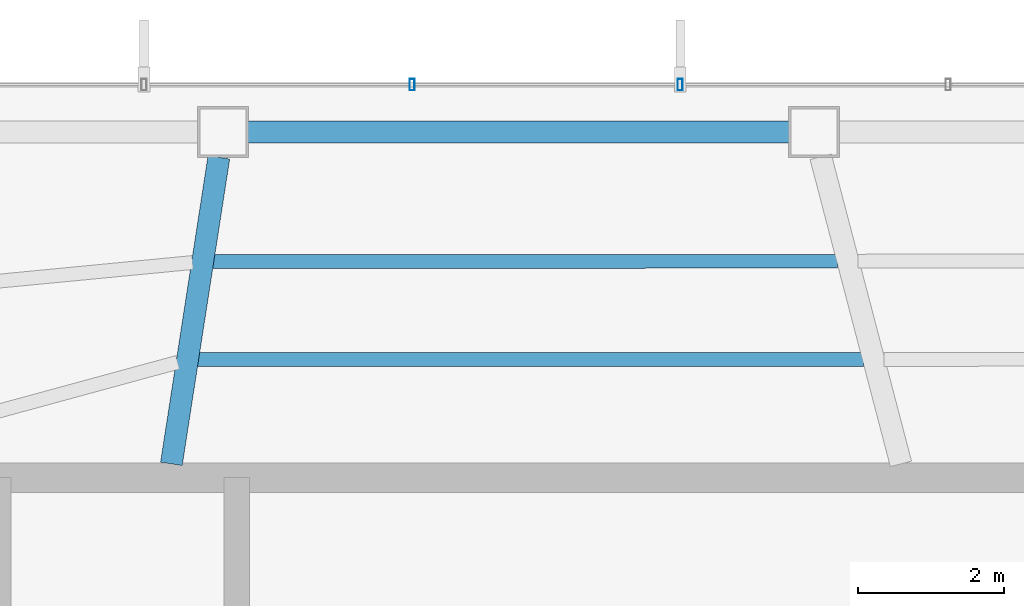
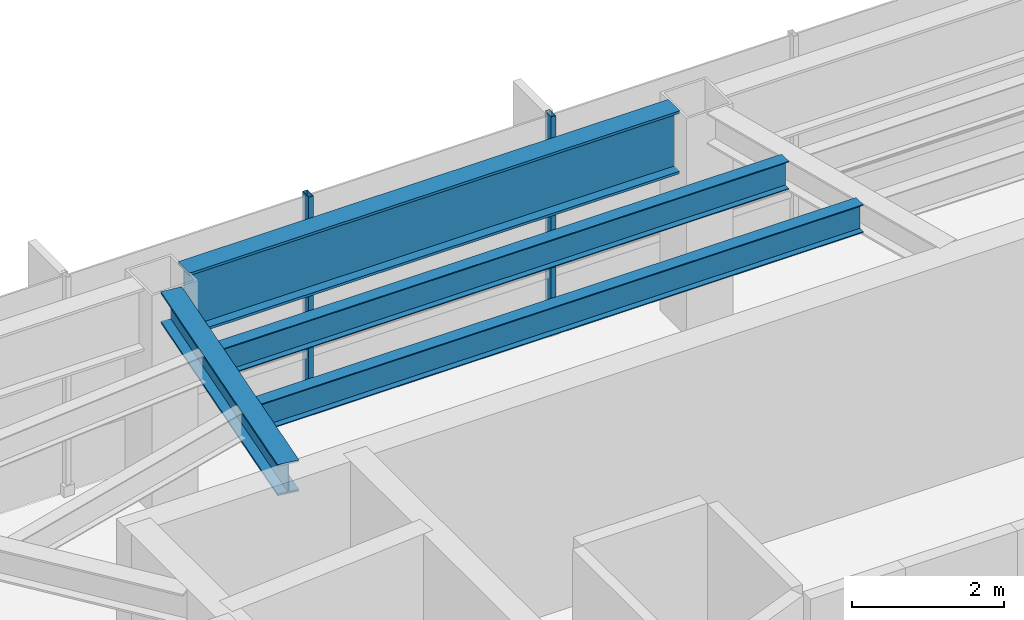
# One storey, part 14 of 28: 4 beams, 2 members, 1 element without a shape of its own.
"""IFC4 building model written with IfcOpenShell, lengths in metres."""

from ifc_helpers import new_model, si_unit, direction, frame, origin, origin_2d, place, context, subcontext, project, spatial, hollow_rectangle, i_section, extrude, material, layer, layer_set, material_profile, profile_set, type_object, element, aggregate, save


model = new_model("IFC4")

# Units and contexts
model_context = context("Model", 3, precision=1e-05, world=origin(), true_north=direction((0.0, 1.0)))
body_context = subcontext(model_context, "Body", "Model", "MODEL_VIEW")
ifc_project = project(units=[si_unit("LENGTHUNIT", "METRE"), si_unit("AREAUNIT", "SQUARE_METRE"), si_unit("VOLUMEUNIT", "CUBIC_METRE"), si_unit("PLANEANGLEUNIT", "RADIAN"), si_unit("MASSUNIT", "GRAM", prefix="KILO")], contexts=[model_context])

# Site, building, storey
site_placement = place(None, origin())
site = spatial("IfcSite", under=ifc_project, at=site_placement, CompositionType="ELEMENT")
building_placement = place(site_placement, origin())
building = spatial("IfcBuilding", under=site, at=building_placement, Name="Zarrinselat Tower", CompositionType="ELEMENT")
storey_placement = place(building_placement, frame((0.0, 0.0, 164.56005859375)))
storey = spatial("IfcBuildingStorey", under=building, at=storey_placement, Name="L40", CompositionType="ELEMENT", Elevation=164.56005859375)

# Beams
ifc_material_1 = material(Name="Steel S355J2", Category="steel")
ifc_material_profile_1 = material_profile(ifc_material_1, i_section(OverallWidth=0.300048828125, OverallDepth=0.5, WebThickness=0.014404296875, FlangeThickness=0.028076171875, at=origin_2d()), Name="HEB 500")
ifc_profile_set_1 = profile_set([ifc_material_profile_1], Name="Steel S355J2")
beam_type_1 = type_object("IfcBeamType", Name="BM-HEB500", PredefinedType="BEAM", material=ifc_profile_set_1)
beam_1_placement = place(storey_placement, frame((31.0, 43.639892578125, 3.25), z_axis=(0.153101414755, 0.988210482033, 0.0), x_axis=(-0.988210482033, 0.153101414755, 0.0)))
element("IfcBeam", 1, at=beam_1_placement, inside=storey, type_object=beam_type_1, Name="L40 Radial Primary Girder RG04", PredefinedType="BEAM", context=body_context, shape_type="SweptSolid", body=[
    extrude(i_section(OverallWidth=0.300048828125, OverallDepth=0.5, WebThickness=0.014404296875, FlangeThickness=0.028076171875, at=origin_2d()), origin(), (0.0, 0.0, 1.0), 4.251220703125),
])
ifc_material_2 = material(Name="Steel S460M", Category="steel")
ifc_material_profile_2 = material_profile(ifc_material_2, i_section(OverallWidth=0.302001953125, OverallDepth=1.008056640625, WebThickness=0.02099609375, FlangeThickness=0.0400390625, at=origin_2d()), Name="HEM 1000")
ifc_profile_set_2 = profile_set([ifc_material_profile_2], Name="Steel S460M")
beam_type_2 = type_object("IfcBeamType", Name="BM-HEM1000", PredefinedType="BEAM", material=ifc_profile_set_2)
beam_2_placement = place(storey_placement, frame((32.042724609375, 48.18896484375, 2.995849609375), z_axis=(1.0, 0.0, 0.0), x_axis=(0.0, 1.0, 0.0)))
element("IfcBeam", 2, at=beam_2_placement, inside=storey, type_object=beam_type_2, Name="L40 Perimeter Spandrel Girder SP03", PredefinedType="BEAM", context=body_context, shape_type="SweptSolid", body=[
    extrude(i_section(OverallWidth=0.302001953125, OverallDepth=1.008056640625, WebThickness=0.02099609375, FlangeThickness=0.0400390625, at=origin_2d()), origin(), (0.0, 0.0, 1.0), 7.430419921875),
])
ifc_material_3 = material(Name="Steel S355J2", Category="steel")
ifc_material_profile_3 = material_profile(ifc_material_3, i_section(OverallWidth=0.18994140625, OverallDepth=0.449951171875, WebThickness=0.009521484375, FlangeThickness=0.0146484375, at=origin_2d()), Name="IPE 450")
ifc_profile_set_3 = profile_set([ifc_material_profile_3], Name="Steel S355J2")
beam_type_3 = type_object("IfcBeamType", Name="BM-IPE450", PredefinedType="JOIST", material=ifc_profile_set_3)
beam_3_placement = place(storey_placement, frame((31.569580078125, 46.41259765625, 3.27490234375), z_axis=(0.999999837479, 0.000570125335, 0.0), x_axis=(-0.000570125335, 0.999999837479, 0.0)))
element("IfcBeam", 3, at=beam_3_placement, inside=storey, type_object=beam_type_3, Name="L40 Composite Floor Joist 8-1", PredefinedType="JOIST", context=body_context, shape_type="SweptSolid", body=[
    extrude(i_section(OverallWidth=0.18994140625, OverallDepth=0.449951171875, WebThickness=0.009521484375, FlangeThickness=0.0146484375, at=origin_2d()), origin(), (0.0, 0.0, 1.0), 8.564453125),
])
beam_4_placement = place(storey_placement, frame((31.361328125, 45.068359375, 3.27490234375), z_axis=(0.999999964206, 0.000267558519, 0.0), x_axis=(-0.000267558519, 0.999999964206, 0.0)))
element("IfcBeam", 4, at=beam_4_placement, inside=storey, type_object=beam_type_3, Name="L40 Composite Floor Joist 8-2", PredefinedType="JOIST", context=body_context, shape_type="SweptSolid", body=[
    extrude(i_section(OverallWidth=0.18994140625, OverallDepth=0.449951171875, WebThickness=0.009521484375, FlangeThickness=0.0146484375, at=origin_2d()), origin(), (0.0, 0.0, 1.0), 9.124755859375),
])

# Curtain wall, members
ifc_material_4 = material(Name="Extruded Aluminium Alloy EN AW-6063 T6", Category="aluminium")
ifc_layer = layer(ifc_material_4, 0.175048828125)
ifc_layer_set = layer_set([ifc_layer], Name="Extruded Aluminium Alloy EN AW-6063 T6")
curtain_wall_type = type_object("IfcCurtainWallType", Name="CWS-HTL", PredefinedType="NOTDEFINED", material=ifc_layer_set)
curtain_wall_placement = place(storey_placement, origin())
curtain_wall = element("IfcCurtainWall", 5, at=curtain_wall_placement, inside=storey, type_object=curtain_wall_type, Name="L40 Unitised Curtain Wall CW-L40-E01", PredefinedType="NOTDEFINED")
ifc_material_5 = material(Name="Extruded Aluminium Alloy EN AW-6063 T6", Category="aluminium")
ifc_material_profile_4 = material_profile(ifc_material_5, hollow_rectangle(XDim=0.070068359375, YDim=0.159912109375, WallThickness=0.00390625, at=origin_2d()), Name="RHS 160x70x4")
ifc_profile_set_4 = profile_set([ifc_material_profile_4], Name="Extruded Aluminium Alloy EN AW-6063 T6")
member_type = type_object("IfcMemberType", Name="MEM-CW-MUL2", PredefinedType="MULLION", material=ifc_profile_set_4)
member_1_placement = place(storey_placement, frame((37.973876953125, 48.8388671875, 0.0), z_axis=(0.0, 0.0, 1.0), x_axis=(-1.0, 0.0, 0.0)))
member_1 = element("IfcMember", 6, at=member_1_placement, type_object=member_type, Name="CW-L40-E01 Mullion 7", PredefinedType="MULLION", context=body_context, shape_type="SweptSolid", body=[
    extrude(hollow_rectangle(XDim=0.070068359375, YDim=0.159912109375, WallThickness=0.00390625, at=origin_2d()), origin(), (0.0, 0.0, 1.0), 3.5),
])
member_2_placement = place(storey_placement, frame((34.29931640625, 48.8388671875, 0.0), z_axis=(0.0, 0.0, 1.0), x_axis=(-1.0, 0.0, 0.0)))
member_2 = element("IfcMember", 7, at=member_2_placement, type_object=member_type, Name="CW-L40-E01 Mullion 8", PredefinedType="MULLION", context=body_context, shape_type="SweptSolid", body=[
    extrude(hollow_rectangle(XDim=0.070068359375, YDim=0.159912109375, WallThickness=0.00390625, at=origin_2d()), origin(), (0.0, 0.0, 1.0), 3.5),
])
aggregate(curtain_wall, [member_1, member_2])

save(model, "model.ifc")
